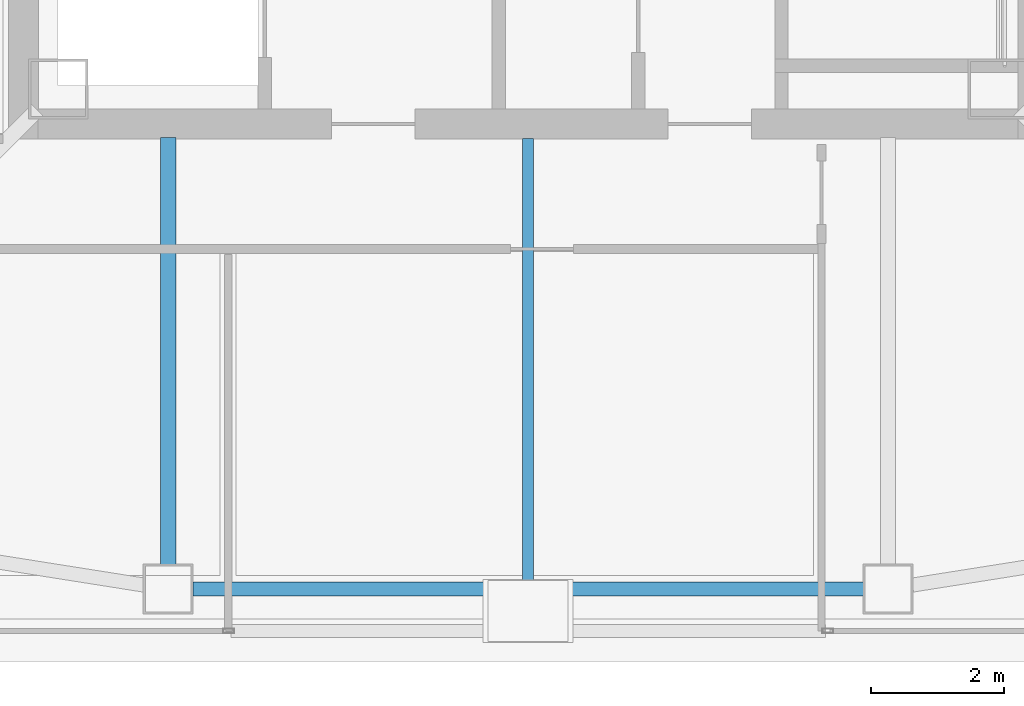
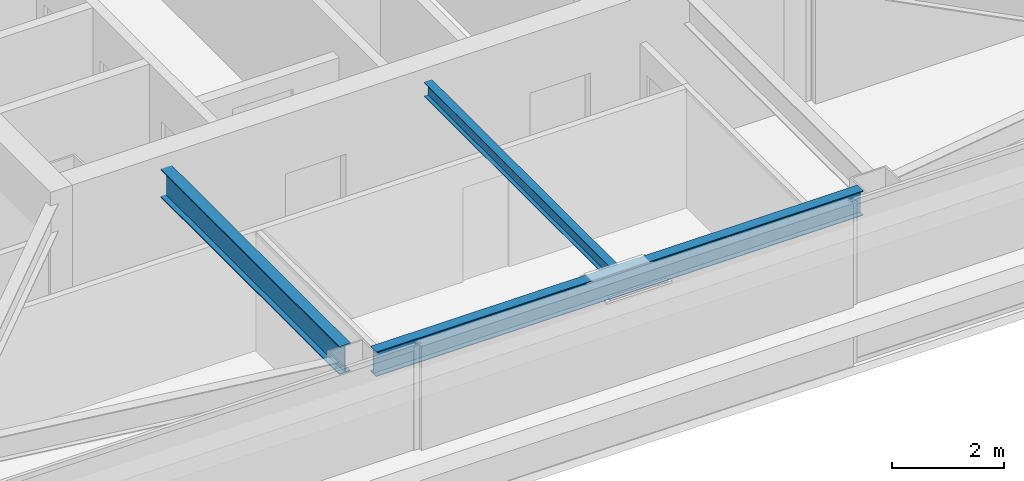
# One storey, part 3 of 18: 3 beams.
"""IFC4 building model written with IfcOpenShell, lengths in metres."""

from ifc_helpers import new_model, si_unit, direction, frame, origin, origin_2d, place, context, subcontext, project, spatial, i_section, extrude, material, material_profile, profile_set, type_object, element, save


model = new_model("IFC4")

# Units and contexts
model_context = context("Model", 3, precision=1e-05, world=origin(), true_north=direction((0.0, 1.0)))
body_context = subcontext(model_context, "Body", "Model", "MODEL_VIEW")
ifc_project = project(units=[si_unit("LENGTHUNIT", "METRE"), si_unit("AREAUNIT", "SQUARE_METRE"), si_unit("VOLUMEUNIT", "CUBIC_METRE"), si_unit("PLANEANGLEUNIT", "RADIAN"), si_unit("MASSUNIT", "GRAM", prefix="KILO")], contexts=[model_context])

# Site, building, storey
site_placement = place(None, origin())
site = spatial("IfcSite", under=ifc_project, at=site_placement, CompositionType="ELEMENT")
building_placement = place(site_placement, origin())
building = spatial("IfcBuilding", under=site, at=building_placement, Name="Tashvorn Skyway Center", CompositionType="ELEMENT")
storey_placement = place(building_placement, frame((0.0, 0.0, 274.050048828125)))
storey = spatial("IfcBuildingStorey", under=building, at=storey_placement, Name="L74", CompositionType="ELEMENT", Elevation=274.050048828125)

# Beams
ifc_material = material(Name="Steel ASTM A992 Grade 50", Category="steel")
ifc_material_profile_1 = material_profile(ifc_material, i_section(OverallWidth=0.22998046875, OverallDepth=0.616943359375, WebThickness=0.01318359375, FlangeThickness=0.022216796875, at=origin_2d()), Name="W24X94")
ifc_profile_set_1 = profile_set([ifc_material_profile_1], Name="Steel ASTM A992 Grade 50")
beam_type_1 = type_object("IfcBeamType", Name="BM-BEAM-W24X94", PredefinedType="BEAM", material=ifc_profile_set_1)
beam_1_placement = place(storey_placement, frame((36.60009765625, 17.820068359375, 2.94140625), z_axis=(0.0, 1.0, 0.0), x_axis=(-1.0, 0.0, 0.0)))
element("IfcBeam", 1, at=beam_1_placement, inside=storey, type_object=beam_type_1, Name="Tower 1 L74 Primary Floor Girder FC-S1", PredefinedType="BEAM", context=body_context, shape_type="SweptSolid", body=[
    extrude(i_section(OverallWidth=0.22998046875, OverallDepth=0.616943359375, WebThickness=0.01318359375, FlangeThickness=0.022216796875, at=origin_2d()), origin(), (0.0, 0.0, 1.0), 6.39990234375),
])
ifc_material_profile_2 = material_profile(ifc_material, i_section(OverallWidth=0.1650390625, OverallDepth=0.31005859375, WebThickness=0.005859375, FlangeThickness=0.009765625, at=origin_2d()), Name="W12X26")
ifc_profile_set_2 = profile_set([ifc_material_profile_2], Name="Steel ASTM A992 Grade 50")
beam_type_2 = type_object("IfcBeamType", Name="BM-JOIST-W12X26", PredefinedType="JOIST", material=ifc_profile_set_2)
beam_2_placement = place(storey_placement, frame((42.0, 24.2099609375, 3.094970703125), z_axis=(0.0, -1.0, 0.0), x_axis=(1.0, 0.0, 0.0)))
element("IfcBeam", 2, at=beam_2_placement, inside=storey, type_object=beam_type_2, Name="Tower 1 L74 Secondary Composite Joist JS", PredefinedType="JOIST", context=body_context, shape_type="SweptSolid", body=[
    extrude(i_section(OverallWidth=0.1650390625, OverallDepth=0.31005859375, WebThickness=0.005859375, FlangeThickness=0.009765625, at=origin_2d()), origin(), (0.0, 0.0, 1.0), 6.662353515625),
])
ifc_material_profile_3 = material_profile(ifc_material, i_section(OverallWidth=0.2109375, OverallDepth=0.5390625, WebThickness=0.01171875, FlangeThickness=0.018798828125, at=origin_2d()), Name="W21X73")
ifc_profile_set_3 = profile_set([ifc_material_profile_3], Name="Steel ASTM A992 Grade 50")
beam_type_3 = type_object("IfcBeamType", Name="BM-SPANDREL-W21X73", PredefinedType="SPANDREL", material=ifc_profile_set_3)
beam_3_placement = place(storey_placement, frame((36.969970703125, 17.449951171875, 2.98046875), z_axis=(1.0, 0.0, 0.0), x_axis=(0.0, 1.0, 0.0)))
element("IfcBeam", 3, at=beam_3_placement, inside=storey, type_object=beam_type_3, Name="Tower 1 L74 Spandrel Beam 02", PredefinedType="SPANDREL", context=body_context, shape_type="SweptSolid", body=[
    extrude(i_section(OverallWidth=0.2109375, OverallDepth=0.5390625, WebThickness=0.01171875, FlangeThickness=0.018798828125, at=origin_2d()), origin(), (0.0, 0.0, 1.0), 10.06005859375),
])

save(model, "model.ifc")
